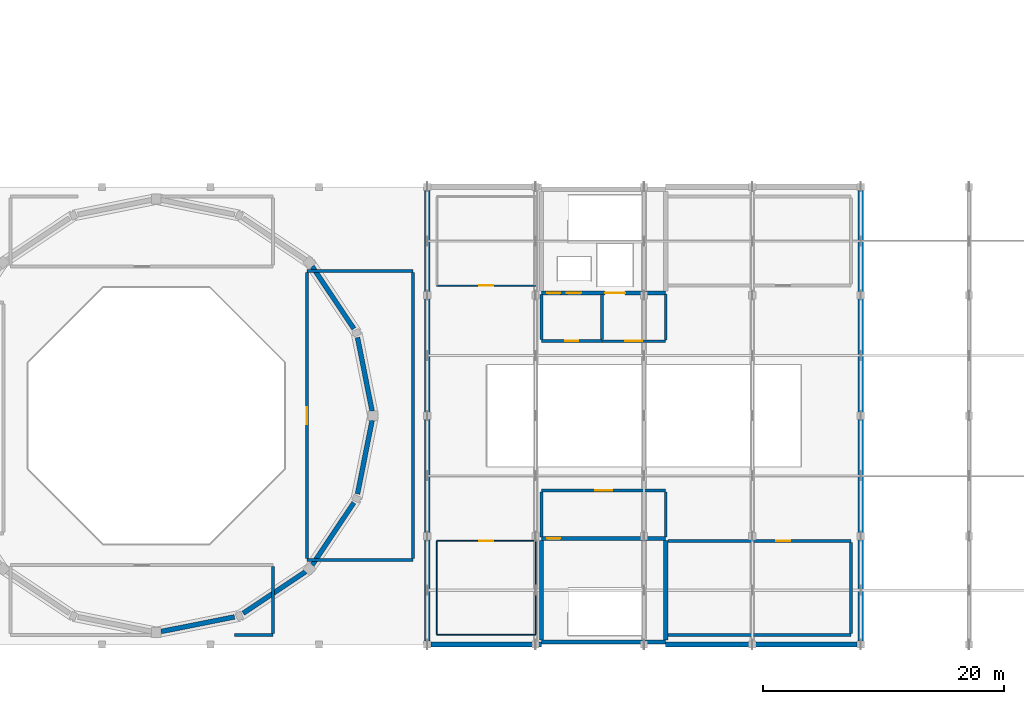
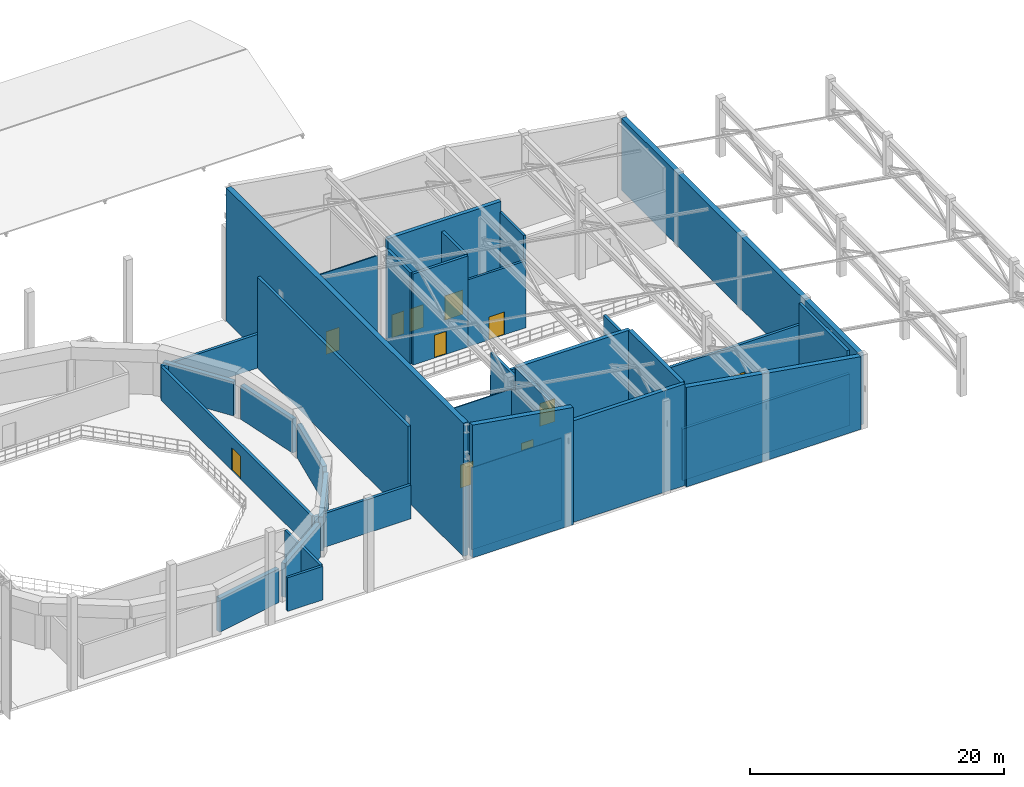
# One storey, part 63 of 68: 37 walls, 11 doors, 11 openings.
"""IFC4 building model written with IfcOpenShell, lengths in metres."""

from ifc_helpers import new_model, si_unit, direction, frame, frame_2d, origin, place, context, subcontext, project, spatial, polyline, rectangle, outline, extrude, material, layer, layer_set, type_object, element, fill, save


model = new_model("IFC4")

# Units and contexts
model_context = context("Model", 3, precision=1e-05, world=origin(), true_north=direction((0.0, 1.0)))
body_context = subcontext(model_context, "Body", "Model", "MODEL_VIEW")
ifc_project = project(units=[si_unit("LENGTHUNIT", "METRE"), si_unit("AREAUNIT", "SQUARE_METRE"), si_unit("VOLUMEUNIT", "CUBIC_METRE"), si_unit("PLANEANGLEUNIT", "RADIAN"), si_unit("MASSUNIT", "GRAM", prefix="KILO")], contexts=[model_context])

# Site, building, storey
site_placement = place(None, origin())
site = spatial("IfcSite", under=ifc_project, at=site_placement, CompositionType="ELEMENT")
building_placement = place(site_placement, origin())
building = spatial("IfcBuilding", under=site, at=building_placement, Name="Miravela Opera House", CompositionType="ELEMENT")
storey_placement = place(building_placement, frame((0.0, 0.0, 21.760009765625)))
storey = spatial("IfcBuildingStorey", under=building, at=storey_placement, Name="L05", CompositionType="ELEMENT", Elevation=21.760009765625)

# Wall
ifc_material_1 = material(Name="Acoustic metal-stud gypsum partition")
ifc_layer_1 = layer(ifc_material_1, 0.090087890625)
ifc_layer_set_1 = layer_set([ifc_layer_1])
wall_type_1 = type_object("IfcWallType", Name="ARC-PT-090", PredefinedType="PARTITIONING", material=ifc_layer_set_1)
wall_1_placement = place(storey_placement, frame((99.800048828125, 37.800048828125, 0.0), z_axis=(0.0, 0.0, 1.0), x_axis=(1.0, 0.0, 0.0)))
element("IfcWall", 1, at=wall_1_placement, inside=storey, type_object=wall_type_1, Name="Stage Rigging Telemetry and Control Studio Partition South", PredefinedType="PARTITIONING", context=body_context, shape_type="SweptSolid", body=[
    extrude(rectangle(XDim=8.199951171875, YDim=0.090087890625, at=frame_2d((4.10009765625, 0.0))), origin(), (0.0, 0.0, 1.0), 7.919677734375),
])

# Wall, opening, door
wall_2_placement = place(storey_placement, frame((99.800048828125, 45.60009765625, 0.0), z_axis=(0.0, 0.0, 1.0), x_axis=(1.0, 0.0, 0.0)))
wall_2 = element("IfcWall", 2, at=wall_2_placement, inside=storey, type_object=wall_type_1, Name="Stage Rigging Telemetry and Control Studio Partition North", PredefinedType="PARTITIONING", context=body_context, shape_type="SweptSolid", body=[
    extrude(rectangle(XDim=8.199951171875, YDim=0.090087890625, at=frame_2d((4.10009765625, 0.0))), origin(), (0.0, 0.0, 1.0), 7.919677734375),
])
opening_1_placement = place(wall_2_placement, frame((3.5, 0.0, 0.0)))
opening_1 = element("IfcOpeningElement", 3, at=opening_1_placement, cuts=wall_2, Name="Opening FD-02", PredefinedType="OPENING", context=body_context, shape_type="SweptSolid", body=[
    extrude(rectangle(XDim=1.199951171875, YDim=2.199951171875, at=frame_2d((0.60009765625, 1.10009765625))), frame((0.0, 0.054931640625, 0.0), z_axis=(0.0, -1.0, 0.0), x_axis=(1.0, 0.0, 0.0)), (0.0, 0.0, 1.0), 0.110107421875),
])
ifc_material_2 = material(Name="Fire-rated gallery/plant exit door")
door_type_1 = type_object("IfcDoorType", Name="ARC-FD-1200X2200", OperationType="NOTDEFINED", PredefinedType="DOOR", material=ifc_material_2)
door_1_placement = place(opening_1_placement, frame((1.199951171875, 0.0, 0.0), z_axis=(0.0, 0.0, 1.0), x_axis=(-1.0, 0.0, 0.0)))
door_1 = element("IfcDoor", 4, at=door_1_placement, inside=storey, type_object=door_type_1, Name="Stage Rigging Telemetry and Control Studio Entry Door IDR-L05-0343", OperationType="SINGLE_SWING_RIGHT", OverallHeight=2.199951171875, OverallWidth=1.199951171875, PredefinedType="DOOR", context=body_context, shape_type="SweptSolid", body=[
    extrude(rectangle(XDim=1.199951171875, YDim=2.199951171875, at=frame_2d((0.60009765625, 1.10009765625))), frame((0.0, 0.02490234375, 0.0), z_axis=(0.0, -1.0, 0.0), x_axis=(1.0, 0.0, 0.0)), (0.0, 0.0, 1.0), 0.050048828125),
])
fill(opening_1, door_1)

# Walls
wall_3_placement = place(storey_placement, frame((99.800048828125, 37.844970703125, 0.0), z_axis=(0.0, 0.0, 1.0), x_axis=(0.0, 1.0, 0.0)))
element("IfcWall", 5, at=wall_3_placement, inside=storey, type_object=wall_type_1, Name="Stage Rigging Telemetry and Control Studio Partition West", PredefinedType="PARTITIONING", context=body_context, shape_type="SweptSolid", body=[
    extrude(rectangle(XDim=7.7099609375, YDim=0.090087890625, at=frame_2d((3.85498046875, 0.0))), origin(), (0.0, 0.0, 1.0), 8.780029296875),
])
wall_4_placement = place(storey_placement, frame((108.0, 37.844970703125, 0.0), z_axis=(0.0, 0.0, 1.0), x_axis=(0.0, 1.0, 0.0)))
element("IfcWall", 6, at=wall_4_placement, inside=storey, type_object=wall_type_1, Name="Stage Rigging Telemetry and Control Studio Partition East", PredefinedType="PARTITIONING", context=body_context, shape_type="SweptSolid", body=[
    extrude(rectangle(XDim=7.7099609375, YDim=0.090087890625, at=frame_2d((3.85498046875, 0.0))), origin(), (0.0, 0.0, 1.0), 7.919677734375),
])

# Wall, opening, door
ifc_material_3 = material(Name="Double-layer acoustic gypsum partition")
ifc_layer_2 = layer(ifc_material_3, 0.110107421875)
ifc_layer_set_2 = layer_set([ifc_layer_2])
wall_type_2 = type_object("IfcWallType", Name="ARC-PT-110", PredefinedType="PARTITIONING", material=ifc_layer_set_2)
wall_5_placement = place(storey_placement, frame((99.800048828125, 66.800048828125, 0.0), z_axis=(0.0, 0.0, 1.0), x_axis=(1.0, 0.0, 0.0)))
wall_5 = element("IfcWall", 7, at=wall_5_placement, inside=storey, type_object=wall_type_2, Name="Stage Smoke Exhaust Monitoring Room Partition South", PredefinedType="PARTITIONING", context=body_context, shape_type="SweptSolid", body=[
    extrude(rectangle(XDim=8.199951171875, YDim=0.110107421875, at=frame_2d((4.10009765625, 0.0))), origin(), (0.0, 0.0, 1.0), 7.919677734375),
])
opening_2_placement = place(wall_5_placement, frame((3.5, 0.0, 0.0)))
opening_2 = element("IfcOpeningElement", 8, at=opening_2_placement, cuts=wall_5, Name="Opening FD-02", PredefinedType="OPENING", context=body_context, shape_type="SweptSolid", body=[
    extrude(rectangle(XDim=1.199951171875, YDim=2.199951171875, at=frame_2d((0.60009765625, 1.10009765625))), frame((0.0, 0.06494140625, 0.0), z_axis=(0.0, -1.0, 0.0), x_axis=(1.0, 0.0, 0.0)), (0.0, 0.0, 1.0), 0.130126953125),
])
door_2_placement = place(opening_2_placement, origin())
door_2 = element("IfcDoor", 9, at=door_2_placement, inside=storey, type_object=door_type_1, Name="Stage Smoke Exhaust Monitoring Room Entry Door IDR-L05-0344", OperationType="SINGLE_SWING_LEFT", OverallHeight=2.199951171875, OverallWidth=1.199951171875, PredefinedType="DOOR", context=body_context, shape_type="SweptSolid", body=[
    extrude(rectangle(XDim=1.199951171875, YDim=2.199951171875, at=frame_2d((0.60009765625, 1.10009765625))), frame((0.0, 0.02490234375, 0.0), z_axis=(0.0, -1.0, 0.0), x_axis=(1.0, 0.0, 0.0)), (0.0, 0.0, 1.0), 0.050048828125),
])
fill(opening_2, door_2)

ifc_material_4 = material(Name="High-STC auditorium lobby partition")
ifc_layer_3 = layer(ifc_material_4, 0.22998046875)
ifc_layer_set_3 = layer_set([ifc_layer_3])
wall_type_3 = type_object("IfcWallType", Name="ARC-PT-205", PredefinedType="PARTITIONING", material=ifc_layer_set_3)
wall_6_placement = place(storey_placement, frame((108.5, 49.800048828125, 0.0), z_axis=(0.0, 0.0, 1.0), x_axis=(1.0, 0.0, 0.0)))
wall_6 = element("IfcWall", 10, at=wall_6_placement, inside=storey, type_object=wall_type_3, Name="Passenger Lift Lobby K4 L05 Partition North", PredefinedType="PARTITIONING", context=body_context, shape_type="SweptSolid", body=[
    extrude(rectangle(XDim=10.300048828125, YDim=0.22998046875, at=frame_2d((5.14990234375, 0.0))), origin(), (0.0, 0.0, 1.0), 6.447021484375),
])
opening_3_placement = place(wall_6_placement, frame((4.449951171875, 0.0, 0.0)))
opening_3 = element("IfcOpeningElement", 11, at=opening_3_placement, cuts=wall_6, Name="Opening FD-03", PredefinedType="OPENING", context=body_context, shape_type="SweptSolid", body=[
    extrude(rectangle(XDim=1.39990234375, YDim=2.199951171875, at=frame_2d((0.699951171875, 1.10009765625))), frame((0.0, 0.125, 0.0), z_axis=(0.0, -1.0, 0.0), x_axis=(1.0, 0.0, 0.0)), (0.0, 0.0, 1.0), 0.25),
])
ifc_material_5 = material(Name="Fire-rated lobby/archive double door")
door_type_2 = type_object("IfcDoorType", Name="ARC-FD-1400X2200", OperationType="NOTDEFINED", PredefinedType="DOOR", material=ifc_material_5)
door_3_placement = place(opening_3_placement, origin())
door_3 = element("IfcDoor", 12, at=door_3_placement, inside=storey, type_object=door_type_2, Name="Passenger Lift Lobby K4 L05 Entry Door IDR-L05-0328", OperationType="DOUBLE_DOOR_SINGLE_SWING", OverallHeight=2.199951171875, OverallWidth=1.39990234375, PredefinedType="DOOR", context=body_context, shape_type="SweptSolid", body=[
    extrude(rectangle(XDim=1.39990234375, YDim=2.199951171875, at=frame_2d((0.699951171875, 1.10009765625))), frame((0.0, 0.02490234375, 0.0), z_axis=(0.0, -1.0, 0.0), x_axis=(1.0, 0.0, 0.0)), (0.0, 0.0, 1.0), 0.050048828125),
])
fill(opening_3, door_3)

# Walls
for number, where, z_axis, x_axis, name in (
    (13, (108.5, 45.9150390625, 0.0), (0.0, 0.0, 1.0), (0.0, 1.0, 0.0), "Passenger Lift Lobby K4 L05 Partition West"),
    (14, (118.800048828125, 45.9150390625, 0.0), (0.0, 0.0, 1.0), (0.0, 1.0, 0.0), "Passenger Lift Lobby K4 L05 Partition East"),
):
    element("IfcWall", number, at=place(storey_placement, frame(where, z_axis=z_axis, x_axis=x_axis)), inside=storey, type_object=wall_type_3, Name=name, PredefinedType="PARTITIONING", context=body_context, shape_type="SweptSolid", body=[
        extrude(rectangle(XDim=3.77001953125, YDim=0.22998046875, at=frame_2d((1.885009765625, 0.0))), origin(), (0.0, 0.0, 1.0), 8.780029296875),
    ])
wall_7_placement = place(storey_placement, frame((82.99609375, 37.800048828125, 0.0), z_axis=(0.0, 0.0, 1.0), x_axis=(1.0, 0.0, 0.0)))
element("IfcWall", 15, at=wall_7_placement, inside=storey, type_object=wall_type_3, Name="Stage Surtitle Projection and Cueing Studio Partition South 2", PredefinedType="PARTITIONING", context=body_context, shape_type="SweptSolid", body=[
    extrude(rectangle(XDim=3.203857421875, YDim=0.22998046875, at=frame_2d((1.60205078125, 0.0))), origin(), (0.0, 0.0, 1.0), 3.239990234375),
])
wall_8_placement = place(storey_placement, frame((86.199951171875, 37.9150390625, 0.0), z_axis=(0.0, 0.0, 1.0), x_axis=(0.0, 1.0, 0.0)))
element("IfcWall", 16, at=wall_8_placement, inside=storey, type_object=wall_type_3, Name="Stage Surtitle Projection and Cueing Studio Partition East", PredefinedType="PARTITIONING", context=body_context, shape_type="SweptSolid", body=[
    extrude(rectangle(XDim=5.570068359375, YDim=0.22998046875, at=frame_2d((2.78515625, 0.0))), origin(), (0.0, 0.0, 1.0), 3.239990234375),
])

# Wall, opening, door
ifc_material_6 = material(Name="Workshop fire-resisting block partition")
ifc_layer_4 = layer(ifc_material_6, 0.2099609375)
ifc_layer_set_4 = layer_set([ifc_layer_4])
wall_type_4 = type_object("IfcWallType", Name="ARC-PT-210", PredefinedType="PARTITIONING", material=ifc_layer_set_4)
wall_9_placement = place(storey_placement, frame((113.5, 62.199951171875, 0.0), z_axis=(0.0, 0.0, 1.0), x_axis=(1.0, 0.0, 0.0)))
wall_9 = element("IfcWall", 17, at=wall_9_placement, inside=storey, type_object=wall_type_4, Name="Passenger Lift Lobby K3 L05 Partition South", PredefinedType="PARTITIONING", context=body_context, shape_type="SweptSolid", body=[
    extrude(rectangle(XDim=5.300048828125, YDim=0.2099609375, at=frame_2d((2.64990234375, 0.0))), origin(), (0.0, 0.0, 1.0), 6.447021484375),
])
opening_4_placement = place(wall_9_placement, frame((1.949951171875, 0.0, 0.0)))
opening_4 = element("IfcOpeningElement", 18, at=opening_4_placement, cuts=wall_9, Name="Opening FD-03", PredefinedType="OPENING", context=body_context, shape_type="SweptSolid", body=[
    extrude(rectangle(XDim=1.39990234375, YDim=2.199951171875, at=frame_2d((0.699951171875, 1.10009765625))), frame((0.0, 0.114990234375, 0.0), z_axis=(0.0, -1.0, 0.0), x_axis=(1.0, 0.0, 0.0)), (0.0, 0.0, 1.0), 0.22998046875),
])
door_4_placement = place(opening_4_placement, frame((1.39990234375, 0.0, 0.0), z_axis=(0.0, 0.0, 1.0), x_axis=(-1.0, 0.0, 0.0)))
door_4 = element("IfcDoor", 19, at=door_4_placement, inside=storey, type_object=door_type_2, Name="Passenger Lift Lobby K3 L05 Entry Door IDR-L05-0327", OperationType="DOUBLE_DOOR_SINGLE_SWING", OverallHeight=2.199951171875, OverallWidth=1.39990234375, PredefinedType="DOOR", context=body_context, shape_type="SweptSolid", body=[
    extrude(rectangle(XDim=1.39990234375, YDim=2.199951171875, at=frame_2d((0.699951171875, 1.10009765625))), frame((0.0, 0.02490234375, 0.0), z_axis=(0.0, -1.0, 0.0), x_axis=(1.0, 0.0, 0.0)), (0.0, 0.0, 1.0), 0.050048828125),
])
fill(opening_4, door_4)

# Wall
wall_10_placement = place(storey_placement, frame((118.800048828125, 62.304931640625, 0.0), z_axis=(0.0, 0.0, 1.0), x_axis=(0.0, 1.0, 0.0)))
element("IfcWall", 20, at=wall_10_placement, inside=storey, type_object=wall_type_4, Name="Passenger Lift Lobby K3 L05 Partition East", PredefinedType="PARTITIONING", context=body_context, shape_type="SweptSolid", body=[
    extrude(rectangle(XDim=3.7900390625, YDim=0.2099609375, at=frame_2d((1.89501953125, 0.0))), origin(), (0.0, 0.0, 1.0), 8.780029296875),
])

# Wall, opening, door
ifc_material_7 = material(Name="Firefighting lobby compartment wall")
ifc_layer_5 = layer(ifc_material_7, 0.25)
ifc_layer_set_5 = layer_set([ifc_layer_5])
wall_type_5 = type_object("IfcWallType", Name="ARC-PT-220", PredefinedType="PARTITIONING", material=ifc_layer_set_5)
wall_11_placement = place(storey_placement, frame((108.5, 62.199951171875, 0.0), z_axis=(0.0, 0.0, 1.0), x_axis=(1.0, 0.0, 0.0)))
wall_11 = element("IfcWall", 21, at=wall_11_placement, inside=storey, type_object=wall_type_5, Name="Firefighting Lobby K3 L05 Partition South", PredefinedType="PARTITIONING", context=body_context, shape_type="SweptSolid", body=[
    extrude(rectangle(XDim=5.0, YDim=0.25, at=frame_2d((2.5, 0.0))), origin(), (0.0, 0.0, 1.0), 8.780029296875),
])
opening_5_placement = place(wall_11_placement, frame((1.949951171875, 0.0, 0.0)))
opening_5 = element("IfcOpeningElement", 22, at=opening_5_placement, cuts=wall_11, Name="Opening FD-01", PredefinedType="OPENING", context=body_context, shape_type="SweptSolid", body=[
    extrude(rectangle(XDim=1.10009765625, YDim=2.199951171875, at=frame_2d((0.550048828125, 1.10009765625))), frame((0.0, 0.135009765625, 0.0), z_axis=(0.0, -1.0, 0.0), x_axis=(1.0, 0.0, 0.0)), (0.0, 0.0, 1.0), 0.27001953125),
])
ifc_material_8 = material(Name="Fire-rated steel/hardwood exit stair door", Category="steel")
door_type_3 = type_object("IfcDoorType", Name="ARC-FD-1100X2200", OperationType="NOTDEFINED", PredefinedType="DOOR", material=ifc_material_8)
door_5_placement = place(opening_5_placement, frame((1.10009765625, 0.0, 0.0), z_axis=(0.0, 0.0, 1.0), x_axis=(-1.0, 0.0, 0.0)))
door_5 = element("IfcDoor", 23, at=door_5_placement, inside=storey, type_object=door_type_3, Name="Firefighting Lobby K3 L05 Entry Door IDR-L05-0326", OperationType="SINGLE_SWING_RIGHT", OverallHeight=2.199951171875, OverallWidth=1.10009765625, PredefinedType="DOOR", context=body_context, shape_type="SweptSolid", body=[
    extrude(rectangle(XDim=1.10009765625, YDim=2.199951171875, at=frame_2d((0.550048828125, 1.10009765625))), frame((0.0, 0.02490234375, 0.0), z_axis=(0.0, -1.0, 0.0), x_axis=(1.0, 0.0, 0.0)), (0.0, 0.0, 1.0), 0.050048828125),
])
fill(opening_5, door_5)

# Walls
for number, where, z_axis, x_axis, name in (
    (24, (108.5, 62.324951171875, 0.0), (0.0, 0.0, 1.0), (0.0, 1.0, 0.0), "Firefighting Lobby K3 L05 Partition West"),
    (25, (113.5, 62.324951171875, 0.0), (0.0, 0.0, 1.0), (0.0, 1.0, 0.0), "Firefighting Lobby K3 L05 Partition East"),
):
    element("IfcWall", number, at=place(storey_placement, frame(where, z_axis=z_axis, x_axis=x_axis)), inside=storey, type_object=wall_type_5, Name=name, PredefinedType="PARTITIONING", context=body_context, shape_type="SweptSolid", body=[
        extrude(rectangle(XDim=3.75, YDim=0.25, at=frame_2d((1.875, 0.0))), origin(), (0.0, 0.0, 1.0), 8.780029296875),
    ])
for number, where, z_axis, x_axis, name in (
    (26, (89.0, 44.0, 0.0), (0.0, 0.0, 1.0), (1.0, 0.0, 0.0), "Auditorium Acoustic Mixing Control Room Partition South"),
    (27, (89.0, 68.0, 0.0), (0.0, 0.0, 1.0), (1.0, 0.0, 0.0), "Auditorium Acoustic Mixing Control Room Partition North"),
):
    element("IfcWall", number, at=place(storey_placement, frame(where, z_axis=z_axis, x_axis=x_axis)), inside=storey, type_object=wall_type_5, Name=name, PredefinedType="PARTITIONING", context=body_context, shape_type="SweptSolid", body=[
        extrude(rectangle(XDim=8.800048828125, YDim=0.25, at=frame_2d((4.39990234375, 0.0))), origin(), (0.0, 0.0, 1.0), 3.239990234375),
    ])

# Wall, opening, door
wall_12_placement = place(storey_placement, frame((89.0, 44.125, 0.0), z_axis=(0.0, 0.0, 1.0), x_axis=(0.0, 1.0, 0.0)))
wall_12 = element("IfcWall", 28, at=wall_12_placement, inside=storey, type_object=wall_type_5, Name="Auditorium Acoustic Mixing Control Room Partition West", PredefinedType="PARTITIONING", context=body_context, shape_type="SweptSolid", body=[
    extrude(rectangle(XDim=23.75, YDim=0.25, at=frame_2d((11.875, 0.0))), origin(), (0.0, 0.0, 1.0), 3.239990234375),
])
opening_6_placement = place(wall_12_placement, frame((11.175048828125, 0.0, 0.0)))
opening_6 = element("IfcOpeningElement", 29, at=opening_6_placement, cuts=wall_12, Name="Opening FD-03", PredefinedType="OPENING", context=body_context, shape_type="SweptSolid", body=[
    extrude(rectangle(XDim=1.39990234375, YDim=2.199951171875, at=frame_2d((0.699951171875, 1.10009765625))), frame((0.0, 0.135009765625, 0.0), z_axis=(0.0, -1.0, 0.0), x_axis=(1.0, 0.0, 0.0)), (0.0, 0.0, 1.0), 0.27001953125),
])
door_6_placement = place(opening_6_placement, origin())
door_6 = element("IfcDoor", 30, at=door_6_placement, inside=storey, type_object=door_type_2, Name="Auditorium Acoustic Mixing Control Room Entry Door IDR-L05-0338", OperationType="DOUBLE_DOOR_SINGLE_SWING", OverallHeight=2.199951171875, OverallWidth=1.39990234375, PredefinedType="DOOR", context=body_context, shape_type="SweptSolid", body=[
    extrude(rectangle(XDim=1.39990234375, YDim=2.199951171875, at=frame_2d((0.699951171875, 1.10009765625))), frame((0.0, 0.02490234375, 0.0), z_axis=(0.0, -1.0, 0.0), x_axis=(1.0, 0.0, 0.0)), (0.0, 0.0, 1.0), 0.050048828125),
])
fill(opening_6, door_6)

# Walls
wall_13_placement = place(storey_placement, frame((97.800048828125, 44.125, 0.0), z_axis=(0.0, 0.0, 1.0), x_axis=(0.0, 1.0, 0.0)))
element("IfcWall", 31, at=wall_13_placement, inside=storey, type_object=wall_type_5, Name="Auditorium Acoustic Mixing Control Room Partition East", PredefinedType="PARTITIONING", context=body_context, shape_type="SweptSolid", body=[
    extrude(rectangle(XDim=23.75, YDim=0.25, at=frame_2d((11.875, 0.0))), origin(), (0.0, 0.0, 1.0), 8.780029296875),
])
wall_14_placement = place(storey_placement, frame((118.97509765625, 37.800048828125, 0.0), z_axis=(0.0, 0.0, 1.0), x_axis=(1.0, 0.0, 0.0)))
element("IfcWall", 32, at=wall_14_placement, inside=storey, type_object=wall_type_5, Name="Stage Acoustic Winch and Automation Room Partition South", PredefinedType="PARTITIONING", context=body_context, shape_type="SweptSolid", body=[
    extrude(rectangle(XDim=15.224853515625, YDim=0.25, at=frame_2d((7.6123046875, 0.0))), origin(), (0.0, 0.0, 1.0), 4.974365234375),
])

# Wall, opening, door
wall_15_placement = place(storey_placement, frame((118.97509765625, 45.60009765625, 0.0), z_axis=(0.0, 0.0, 1.0), x_axis=(1.0, 0.0, 0.0)))
wall_15 = element("IfcWall", 33, at=wall_15_placement, inside=storey, type_object=wall_type_5, Name="Stage Acoustic Winch and Automation Room Partition North", PredefinedType="PARTITIONING", context=body_context, shape_type="SweptSolid", body=[
    extrude(rectangle(XDim=15.224853515625, YDim=0.25, at=frame_2d((7.6123046875, 0.0))), origin(), (0.0, 0.0, 1.0), 4.974365234375),
])
opening_7_placement = place(wall_15_placement, frame((8.990234375, 0.0, 0.0)))
opening_7 = element("IfcOpeningElement", 34, at=opening_7_placement, cuts=wall_15, Name="Opening FD-02", PredefinedType="OPENING", context=body_context, shape_type="SweptSolid", body=[
    extrude(rectangle(XDim=1.199951171875, YDim=2.199951171875, at=frame_2d((0.60009765625, 1.10009765625))), frame((0.0, 0.135009765625, 0.0), z_axis=(0.0, -1.0, 0.0), x_axis=(1.0, 0.0, 0.0)), (0.0, 0.0, 1.0), 0.27001953125),
])
door_7_placement = place(opening_7_placement, frame((1.199951171875, 0.0, 0.0), z_axis=(0.0, 0.0, 1.0), x_axis=(-1.0, 0.0, 0.0)))
door_7 = element("IfcDoor", 35, at=door_7_placement, inside=storey, type_object=door_type_1, Name="Stage Acoustic Winch and Automation Room Entry Door IDR-L05-0339", OperationType="SINGLE_SWING_RIGHT", OverallHeight=2.199951171875, OverallWidth=1.199951171875, PredefinedType="DOOR", context=body_context, shape_type="SweptSolid", body=[
    extrude(rectangle(XDim=1.199951171875, YDim=2.199951171875, at=frame_2d((0.60009765625, 1.10009765625))), frame((0.0, 0.02490234375, 0.0), z_axis=(0.0, -1.0, 0.0), x_axis=(1.0, 0.0, 0.0)), (0.0, 0.0, 1.0), 0.050048828125),
])
fill(opening_7, door_7)

# Wall
wall_16_placement = place(storey_placement, frame((134.199951171875, 37.925048828125, 0.0), z_axis=(0.0, 0.0, 1.0), x_axis=(0.0, 1.0, 0.0)))
element("IfcWall", 36, at=wall_16_placement, inside=storey, type_object=wall_type_5, Name="Stage Acoustic Winch and Automation Room Partition East", PredefinedType="PARTITIONING", context=body_context, shape_type="SweptSolid", body=[
    extrude(rectangle(XDim=7.550048828125, YDim=0.25, at=frame_2d((3.77490234375, 0.0))), origin(), (0.0, 0.0, 1.0), 7.080078125),
])

# Wall, openings, doors
ifc_material_9 = material(Name="Concrete C40/50", Category="concrete")
ifc_layer_6 = layer(ifc_material_9, 0.35009765625)
ifc_layer_set_6 = layer_set([ifc_layer_6])
wall_type_6 = type_object("IfcWallType", Name="STR-WALL-CORE-350", PredefinedType="SHEAR", material=ifc_layer_set_6)
wall_17_placement = place(storey_placement, frame((108.5, 66.199951171875, 0.0), z_axis=(0.0, 0.0, 1.0), x_axis=(1.0, 0.0, 0.0)))
wall_17 = element("IfcWall", 37, at=wall_17_placement, inside=storey, type_object=wall_type_6, Name="Core K3 Shear Wall South (L05)", PredefinedType="SHEAR", context=body_context, shape_type="SweptSolid", body=[
    extrude(rectangle(XDim=10.300048828125, YDim=0.35009765625, at=frame_2d((5.14990234375, 0.0))), origin(), (0.0, 0.0, 1.0), 9.780029296875),
])
opening_8_placement = place(wall_17_placement, frame((0.449951171875, 0.0, 0.0)))
opening_8 = element("IfcOpeningElement", 38, at=opening_8_placement, cuts=wall_17, Name="Opening FD-01", PredefinedType="OPENING", context=body_context, shape_type="SweptSolid", body=[
    extrude(rectangle(XDim=1.10009765625, YDim=2.199951171875, at=frame_2d((0.550048828125, 1.10009765625))), frame((0.0, 0.18505859375, 0.0), z_axis=(0.0, -1.0, 0.0), x_axis=(1.0, 0.0, 0.0)), (0.0, 0.0, 1.0), 0.3701171875),
])
opening_9_placement = place(wall_17_placement, frame((2.090087890625, 0.0, 0.0)))
opening_9 = element("IfcOpeningElement", 39, at=opening_9_placement, cuts=wall_17, Name="Opening LD-01", PredefinedType="OPENING", context=body_context, shape_type="SweptSolid", body=[
    extrude(rectangle(XDim=1.219970703125, YDim=2.199951171875, at=frame_2d((0.60986328125, 1.10009765625))), frame((0.0, 0.18505859375, 0.0), z_axis=(0.0, -1.0, 0.0), x_axis=(1.0, 0.0, 0.0)), (0.0, 0.0, 1.0), 0.3701171875),
])
opening_10_placement = place(wall_17_placement, frame((5.27490234375, 0.0, 0.0)))
opening_10 = element("IfcOpeningElement", 40, at=opening_10_placement, cuts=wall_17, Name="Opening LD-03", PredefinedType="OPENING", context=body_context, shape_type="SweptSolid", body=[
    extrude(rectangle(XDim=1.64990234375, YDim=2.340087890625, at=frame_2d((0.824951171875, 1.169921875))), frame((0.0, 0.18505859375, 0.0), z_axis=(0.0, -1.0, 0.0), x_axis=(1.0, 0.0, 0.0)), (0.0, 0.0, 1.0), 0.3701171875),
])
door_8_placement = place(opening_8_placement, origin())
door_8 = element("IfcDoor", 41, at=door_8_placement, inside=storey, type_object=door_type_3, Name="Exit Stair ST-03 Rated Door (L05) IDR-L05-0022", OperationType="SINGLE_SWING_RIGHT", OverallHeight=2.199951171875, OverallWidth=1.10009765625, PredefinedType="DOOR", context=body_context, shape_type="SweptSolid", body=[
    extrude(rectangle(XDim=1.10009765625, YDim=2.199951171875, at=frame_2d((0.550048828125, 1.10009765625))), frame((0.0, 0.02490234375, 0.0), z_axis=(0.0, -1.0, 0.0), x_axis=(1.0, 0.0, 0.0)), (0.0, 0.0, 1.0), 0.050048828125),
])
fill(opening_8, door_8)
ifc_material_10 = material(Name="Brushed stainless and bronze fire-rated lift landing door")
door_type_4 = type_object("IfcDoorType", Name="ARC-LD-FFL-1200X2200", OperationType="SLIDING_TO_LEFT", PredefinedType="DOOR", material=ifc_material_10)
door_9_placement = place(opening_9_placement, origin())
door_9 = element("IfcDoor", 42, at=door_9_placement, inside=storey, type_object=door_type_4, Name="Lift Landing Door FFL-02 (L05)", OperationType="SLIDING_TO_LEFT", OverallHeight=2.199951171875, OverallWidth=1.219970703125, PredefinedType="DOOR", context=body_context, shape_type="SweptSolid", body=[
    extrude(rectangle(XDim=1.219970703125, YDim=2.199951171875, at=frame_2d((0.60986328125, 1.10009765625))), frame((0.0, 0.02490234375, 0.0), z_axis=(0.0, -1.0, 0.0), x_axis=(1.0, 0.0, 0.0)), (0.0, 0.0, 1.0), 0.050048828125),
])
fill(opening_9, door_9)
door_type_5 = type_object("IfcDoorType", Name="ARC-LD-FRT-1650X2350", OperationType="SLIDING_TO_LEFT", PredefinedType="DOOR", material=ifc_material_10)
door_10_placement = place(opening_10_placement, origin())
door_10 = element("IfcDoor", 43, at=door_10_placement, inside=storey, type_object=door_type_5, Name="Lift Landing Door FL-01 (L05)", OperationType="SLIDING_TO_LEFT", OverallHeight=2.340087890625, OverallWidth=1.64990234375, PredefinedType="DOOR", context=body_context, shape_type="SweptSolid", body=[
    extrude(rectangle(XDim=1.64990234375, YDim=2.340087890625, at=frame_2d((0.824951171875, 1.169921875))), frame((0.0, 0.02490234375, 0.0), z_axis=(0.0, -1.0, 0.0), x_axis=(1.0, 0.0, 0.0)), (0.0, 0.0, 1.0), 0.050048828125),
])
fill(opening_10, door_10)

# Wall
wall_18_placement = place(storey_placement, frame((108.5, 37.199951171875, 0.0), z_axis=(0.0, 0.0, 1.0), x_axis=(1.0, 0.0, 0.0)))
element("IfcWall", 44, at=wall_18_placement, inside=storey, type_object=wall_type_6, Name="Core K4 Shear Wall South (L05)", PredefinedType="SHEAR", context=body_context, shape_type="SweptSolid", body=[
    extrude(rectangle(XDim=10.300048828125, YDim=0.35009765625, at=frame_2d((5.14990234375, 0.0))), origin(), (0.0, 0.0, 1.0), 9.780029296875),
])

# Wall, opening, door
wall_19_placement = place(storey_placement, frame((108.5, 45.800048828125, 0.0), z_axis=(0.0, 0.0, 1.0), x_axis=(1.0, 0.0, 0.0)))
wall_19 = element("IfcWall", 45, at=wall_19_placement, inside=storey, type_object=wall_type_6, Name="Core K4 Shear Wall North (L05)", PredefinedType="SHEAR", context=body_context, shape_type="SweptSolid", body=[
    extrude(rectangle(XDim=10.300048828125, YDim=0.35009765625, at=frame_2d((5.14990234375, 0.0))), origin(), (0.0, 0.0, 1.0), 9.780029296875),
])
opening_11_placement = place(wall_19_placement, frame((0.449951171875, 0.0, 0.0)))
opening_11 = element("IfcOpeningElement", 46, at=opening_11_placement, cuts=wall_19, Name="Opening FD-01", PredefinedType="OPENING", context=body_context, shape_type="SweptSolid", body=[
    extrude(rectangle(XDim=1.10009765625, YDim=2.199951171875, at=frame_2d((0.550048828125, 1.10009765625))), frame((0.0, 0.18505859375, 0.0), z_axis=(0.0, -1.0, 0.0), x_axis=(1.0, 0.0, 0.0)), (0.0, 0.0, 1.0), 0.3701171875),
])
door_11_placement = place(opening_11_placement, frame((1.10009765625, 0.0, 0.0), z_axis=(0.0, 0.0, 1.0), x_axis=(-1.0, 0.0, 0.0)))
door_11 = element("IfcDoor", 47, at=door_11_placement, inside=storey, type_object=door_type_3, Name="Exit Stair ST-04 Rated Door (L05) IDR-L05-0029", OperationType="SINGLE_SWING_LEFT", OverallHeight=2.199951171875, OverallWidth=1.10009765625, PredefinedType="DOOR", context=body_context, shape_type="SweptSolid", body=[
    extrude(rectangle(XDim=1.10009765625, YDim=2.199951171875, at=frame_2d((0.550048828125, 1.10009765625))), frame((0.0, 0.02490234375, 0.0), z_axis=(0.0, -1.0, 0.0), x_axis=(1.0, 0.0, 0.0)), (0.0, 0.0, 1.0), 0.050048828125),
])
fill(opening_11, door_11)

# Walls
for number, where, z_axis, x_axis, name in (
    (48, (108.5, 37.375, 0.0), (0.0, 0.0, 1.0), (0.0, 1.0, 0.0), "Core K4 Shear Wall West (L05)"),
    (49, (118.800048828125, 37.375, 0.0), (0.0, 0.0, 1.0), (0.0, 1.0, 0.0), "Core K4 Shear Wall East (L05)"),
):
    element("IfcWall", number, at=place(storey_placement, frame(where, z_axis=z_axis, x_axis=x_axis)), inside=storey, type_object=wall_type_6, Name=name, PredefinedType="SHEAR", context=body_context, shape_type="SweptSolid", body=[
        extrude(rectangle(XDim=8.25, YDim=0.35009765625, at=frame_2d((4.125, 0.0))), origin(), (0.0, 0.0, 1.0), 9.780029296875),
    ])
ifc_layer_7 = layer(ifc_material_9, 0.39990234375)
ifc_layer_set_7 = layer_set([ifc_layer_7])
wall_type_7 = type_object("IfcWallType", Name="STR-WALL-DRUM-400", PredefinedType="SHEAR", material=ifc_layer_set_7)
wall_20_placement = place(storey_placement, frame((94.422119140625, 56.392333984375, 0.0), z_axis=(0.0, 0.0, 1.0), x_axis=(-0.195127752786, 0.980777834218, 0.0)))
element("IfcWall", 50, at=wall_20_placement, inside=storey, type_object=wall_type_7, Name="Auditorium Drum Shear Wall L05 Seg 1", PredefinedType="SHEAR", context=body_context, shape_type="SweptSolid", body=[
    extrude(rectangle(XDim=6.223388671875, YDim=0.39990234375, at=frame_2d((3.11181640625, 0.0))), origin(), (0.0, 0.0, 1.0), 3.260009765625),
])
wall_21_placement = place(storey_placement, frame((92.90771484375, 63.220947265625, 0.0), z_axis=(0.0, 0.0, 1.0), x_axis=(-0.555587101324, 0.831458341015, 0.0)))
element("IfcWall", 51, at=wall_21_placement, inside=storey, type_object=wall_type_7, Name="Auditorium Drum Shear Wall L05 Seg 2", PredefinedType="SHEAR", context=body_context, shape_type="SweptSolid", body=[
    extrude(rectangle(XDim=6.22314453125, YDim=0.39990234375, at=frame_2d((3.111572265625, 0.0))), origin(), (0.0, 0.0, 1.0), 3.260009765625),
])
wall_22_placement = place(storey_placement, frame((76.892333984375, 38.077880859375, 0.0), z_axis=(0.0, 0.0, 1.0), x_axis=(0.980777834218, 0.195127752786, 0.0)))
element("IfcWall", 52, at=wall_22_placement, inside=storey, type_object=wall_type_7, Name="Auditorium Drum Shear Wall L05 Seg 13", PredefinedType="SHEAR", context=body_context, shape_type="SweptSolid", body=[
    extrude(rectangle(XDim=6.223388671875, YDim=0.39990234375, at=frame_2d((3.11181640625, 0.0))), origin(), (0.0, 0.0, 1.0), 3.260009765625),
])
for number, where, z_axis, x_axis, name in (
    (53, (83.720947265625, 39.59228515625, 0.0), (0.0, 0.0, 1.0), (0.831458341015, 0.555587101324, 0.0), "Auditorium Drum Shear Wall L05 Seg 14"),
    (54, (89.4501953125, 43.604736328125, 0.0), (0.0, 0.0, 1.0), (0.555587101324, 0.831458341015, 0.0), "Auditorium Drum Shear Wall L05 Seg 15"),
):
    element("IfcWall", number, at=place(storey_placement, frame(where, z_axis=z_axis, x_axis=x_axis)), inside=storey, type_object=wall_type_7, Name=name, PredefinedType="SHEAR", context=body_context, shape_type="SweptSolid", body=[
        extrude(rectangle(XDim=6.22314453125, YDim=0.39990234375, at=frame_2d((3.111572265625, 0.0))), origin(), (0.0, 0.0, 1.0), 3.260009765625),
    ])
wall_23_placement = place(storey_placement, frame((93.207763671875, 49.50390625, 0.0), z_axis=(0.0, 0.0, 1.0), x_axis=(0.195127752786, 0.980777834218, 0.0)))
element("IfcWall", 55, at=wall_23_placement, inside=storey, type_object=wall_type_7, Name="Auditorium Drum Shear Wall L05 Seg 16", PredefinedType="SHEAR", context=body_context, shape_type="SweptSolid", body=[
    extrude(rectangle(XDim=6.223388671875, YDim=0.39990234375, at=frame_2d((3.11181640625, 0.0))), origin(), (0.0, 0.0, 1.0), 3.260009765625),
])
ifc_layer_8 = layer(ifc_material_9, 0.449951171875)
ifc_layer_set_8 = layer_set([ifc_layer_8])
wall_type_8 = type_object("IfcWallType", Name="STR-WALL-PROSC-450", PredefinedType="SHEAR", material=ifc_layer_set_8)
wall_24_placement = place(storey_placement, frame((99.300048828125, 37.0, 0.0), z_axis=(0.0, 0.0, 1.0), x_axis=(1.0, 0.0, 0.0)))
element("IfcWall", 56, at=wall_24_placement, inside=storey, type_object=wall_type_8, Name="Fly Tower Raked Shear Wall SW (L05)", PredefinedType="SHEAR", context=body_context, shape_type="SweptSolid", body=[
    extrude(outline(polyline([(0.0, 0.0), (9.199951171875, 0.0), (9.199951171875, 11.285400390625), (0.0, 12.790771484375), (0.0, 0.0)])), frame((0.0, 0.22509765625, 0.0), z_axis=(0.0, -1.0, 0.0), x_axis=(1.0, 0.0, 0.0)), (0.0, 0.0, 1.0), 0.449951171875),
])
wall_25_placement = place(storey_placement, frame((118.800048828125, 37.0, 0.0), z_axis=(0.0, 0.0, 1.0), x_axis=(1.0, 0.0, 0.0)))
element("IfcWall", 57, at=wall_25_placement, inside=storey, type_object=wall_type_8, Name="Fly Tower Raked Shear Wall SE (L05)", PredefinedType="SHEAR", context=body_context, shape_type="SweptSolid", body=[
    extrude(outline(polyline([(0.0, 0.0), (15.89990234375, 0.0), (15.89990234375, 6.998291015625), (0.0, 9.60009765625), (0.0, 0.0)])), frame((0.0, 0.22509765625, 0.0), z_axis=(0.0, -1.0, 0.0), x_axis=(1.0, 0.0, 0.0)), (0.0, 0.0, 1.0), 0.449951171875),
])
wall_26_placement = place(storey_placement, frame((99.0, 37.300048828125, 0.0), z_axis=(0.0, 0.0, 1.0), x_axis=(0.0, 1.0, 0.0)))
element("IfcWall", 58, at=wall_26_placement, inside=storey, type_object=wall_type_8, Name="Proscenium Upper Shear Wall (L05)", PredefinedType="SHEAR", context=body_context, shape_type="SweptSolid", body=[
    extrude(rectangle(XDim=37.39990234375, YDim=0.449951171875, at=frame_2d((18.699951171875, 0.0))), origin(), (0.0, 0.0, 1.0), 12.840087890625),
])
wall_27_placement = place(storey_placement, frame((135.0, 37.300048828125, 0.0), z_axis=(0.0, 0.0, 1.0), x_axis=(0.0, 1.0, 0.0)))
element("IfcWall", 59, at=wall_27_placement, inside=storey, type_object=wall_type_8, Name="Fly Tower East Shear Wall (L05)", PredefinedType="SHEAR", context=body_context, shape_type="SweptSolid", body=[
    extrude(rectangle(XDim=37.39990234375, YDim=0.449951171875, at=frame_2d((18.699951171875, 0.0))), origin(), (0.0, 0.0, 1.0), 6.948974609375),
])

save(model, "model.ifc")
